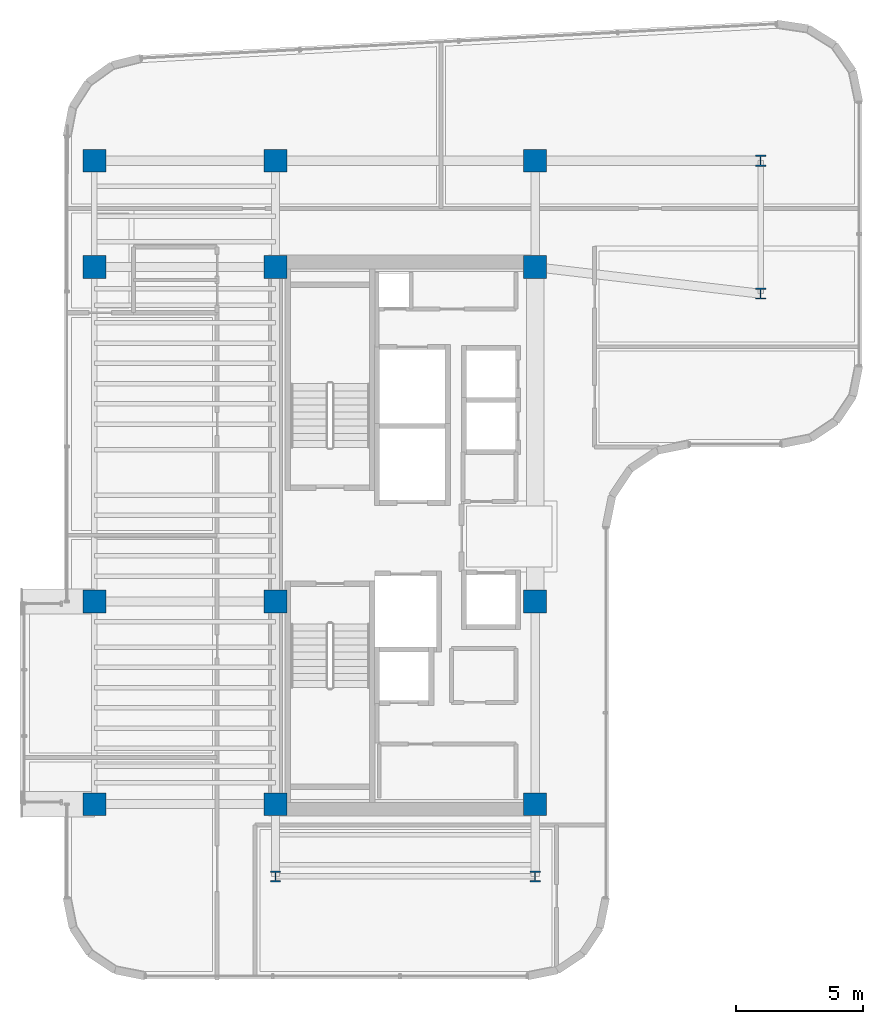
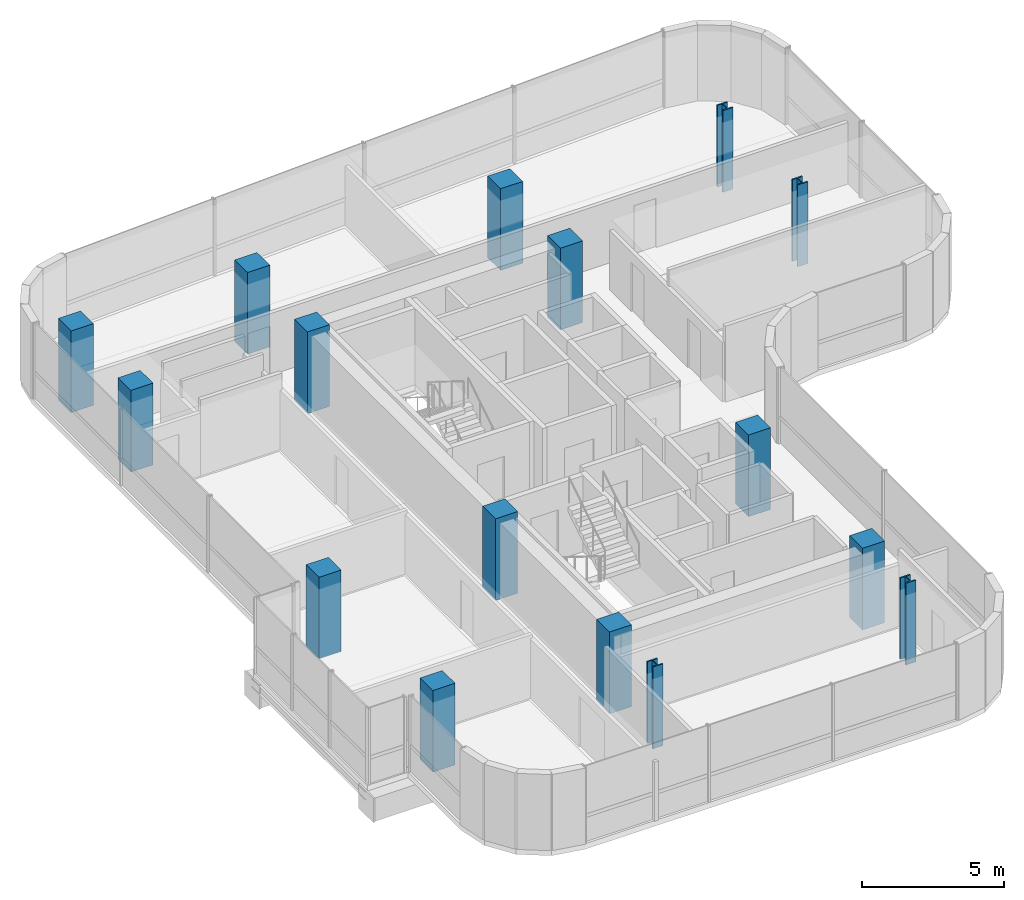
# One storey, part 1 of 22: 16 columns.
"""IFC4 building model written with IfcOpenShell, lengths in metres."""

from ifc_helpers import new_model, si_unit, direction, frame, origin, origin_2d, place, context, subcontext, project, spatial, rectangle, i_section, extrude, source, transform, mapped, material, material_profile, profile_set, type_object, element, save


model = new_model("IFC4")

# Units and contexts
model_context = context("Model", 3, precision=1e-05, world=origin(), true_north=direction((0.0, 1.0)))
body_context = subcontext(model_context, "Body", "Model", "MODEL_VIEW")
ifc_project = project(units=[si_unit("LENGTHUNIT", "METRE"), si_unit("AREAUNIT", "SQUARE_METRE"), si_unit("VOLUMEUNIT", "CUBIC_METRE"), si_unit("PLANEANGLEUNIT", "RADIAN"), si_unit("MASSUNIT", "GRAM", prefix="KILO")], contexts=[model_context])

# Site, building, storey
site_placement = place(None, origin())
site = spatial("IfcSite", under=ifc_project, at=site_placement, CompositionType="ELEMENT")
building_placement = place(site_placement, origin())
building = spatial("IfcBuilding", under=site, at=building_placement, Name="Valdorenza Pilgrim Sanctuary Tower", CompositionType="ELEMENT")
storey_placement = place(building_placement, frame((0.0, 0.0, 233.5)))
storey = spatial("IfcBuildingStorey", under=building, at=storey_placement, Name="L60", CompositionType="ELEMENT", Elevation=233.5)

# Columns
ifc_material_1 = material(Name="Concrete C50/60", Category="concrete")
ifc_material_profile_1 = material_profile(ifc_material_1, rectangle(XDim=0.89990234375, YDim=0.89990234375, at=origin_2d()), Name="RC 900x900")
ifc_profile_set_1 = profile_set([ifc_material_profile_1], Name="Concrete C50/60")
column_type_1 = type_object("IfcColumnType", Name="COL-Z4A-900", PredefinedType="COLUMN", material=ifc_profile_set_1)
shared_shape_1 = source(origin(), body_context, "Body", "SweptSolid", [
    extrude(rectangle(XDim=0.89990234375, YDim=0.89990234375, at=origin_2d()), origin(), (0.0, 0.0, 1.0), 3.5),
])
for number, where, z_axis, x_axis, name in (
    (1, (-29.800048828125, -10.60009765625, 0.0), (0.0, 0.0, 1.0), (1.0, 0.0, 0.0), "L60 Perimeter Column WA-W-S1"),
    (2, (-22.64990234375, -10.60009765625, 0.0), (0.0, 0.0, 1.0), (1.0, 0.0, 0.0), "L60 Column CA-W-S1"),
    (3, (-12.39990234375, -10.60009765625, 0.0), (0.0, 0.0, 1.0), (1.0, 0.0, 0.0), "L60 Column CA-E-S1"),
    (4, (-29.800048828125, -2.60009765625, 0.0), (0.0, 0.0, 1.0), (1.0, 0.0, 0.0), "L60 Perimeter Column WA-W-M0"),
    (5, (-22.64990234375, -2.60009765625, 0.0), (0.0, 0.0, 1.0), (1.0, 0.0, 0.0), "L60 Column CA-W-M0"),
    (6, (-12.39990234375, -2.60009765625, 0.0), (0.0, 0.0, 1.0), (1.0, 0.0, 0.0), "L60 Column CA-E-M0"),
    (7, (-29.800048828125, 10.60009765625, 0.0), (0.0, 0.0, 1.0), (1.0, 0.0, 0.0), "L60 Perimeter Column WA-W-N1"),
    (8, (-22.64990234375, 10.60009765625, 0.0), (0.0, 0.0, 1.0), (1.0, 0.0, 0.0), "L60 Column CA-W-N1"),
    (9, (-12.39990234375, 10.60009765625, 0.0), (0.0, 0.0, 1.0), (1.0, 0.0, 0.0), "L60 Column CA-E-N1"),
    (10, (-29.800048828125, 14.800048828125, 0.0), (0.0, 0.0, 1.0), (1.0, 0.0, 0.0), "L60 Perimeter Column WA-W-N2"),
    (11, (-22.64990234375, 14.800048828125, 0.0), (0.0, 0.0, 1.0), (1.0, 0.0, 0.0), "L60 Column CA-W-N2"),
    (12, (-12.39990234375, 14.800048828125, 0.0), (0.0, 0.0, 1.0), (1.0, 0.0, 0.0), "L60 Column CA-E-N2"),
):
    element("IfcColumn", number, at=place(storey_placement, frame(where, z_axis=z_axis, x_axis=x_axis)), inside=storey, type_object=column_type_1, Name=name, PredefinedType="COLUMN", context=body_context, shape_type="MappedRepresentation", body=[
        mapped(shared_shape_1, transform((0.0, 0.0, 0.0), x_axis=(1.0, 0.0, 0.0), y_axis=(0.0, 1.0, 0.0), z_axis=(0.0, 0.0, 1.0), scale=1.0)),
    ])
ifc_material_2 = material(Name="Steel ASTM A992 Grade 50", Category="steel")
ifc_material_profile_2 = material_profile(ifc_material_2, i_section(OverallWidth=0.412109375, OverallDepth=0.43505859375, WebThickness=0.035888671875, FlangeThickness=0.057373046875, at=origin_2d()), Name="W14X311")
ifc_profile_set_2 = profile_set([ifc_material_profile_2], Name="Steel ASTM A992 Grade 50")
column_type_2 = type_object("IfcColumnType", Name="COL-STL-W311", PredefinedType="COLUMN", material=ifc_profile_set_2)
shared_shape_2 = source(origin(), body_context, "Body", "SweptSolid", [
    extrude(i_section(OverallWidth=0.412109375, OverallDepth=0.43505859375, WebThickness=0.035888671875, FlangeThickness=0.057373046875, at=origin_2d()), origin(), (0.0, 0.0, 1.0), 3.5),
])
for number, where, z_axis, x_axis, name in (
    (13, (-22.64990234375, -13.449951171875, 0.0), (0.0, 0.0, 1.0), (1.0, 0.0, 0.0), "L60 Column WA-S-W"),
    (14, (-12.39990234375, -13.449951171875, 0.0), (0.0, 0.0, 1.0), (1.0, 0.0, 0.0), "L60 Column WA-S-E"),
    (15, (-3.5, 9.550048828125, 0.0), (0.0, 0.0, 1.0), (1.0, 0.0, 0.0), "L60 Column UWA-K1"),
    (16, (-3.5, 14.800048828125, 0.0), (0.0, 0.0, 1.0), (1.0, 0.0, 0.0), "L60 Column UWA-K2"),
):
    element("IfcColumn", number, at=place(storey_placement, frame(where, z_axis=z_axis, x_axis=x_axis)), inside=storey, type_object=column_type_2, Name=name, PredefinedType="COLUMN", context=body_context, shape_type="MappedRepresentation", body=[
        mapped(shared_shape_2, transform((0.0, 0.0, 0.0), x_axis=(1.0, 0.0, 0.0), y_axis=(0.0, 1.0, 0.0), z_axis=(0.0, 0.0, 1.0), scale=1.0)),
    ])

save(model, "model.ifc")
